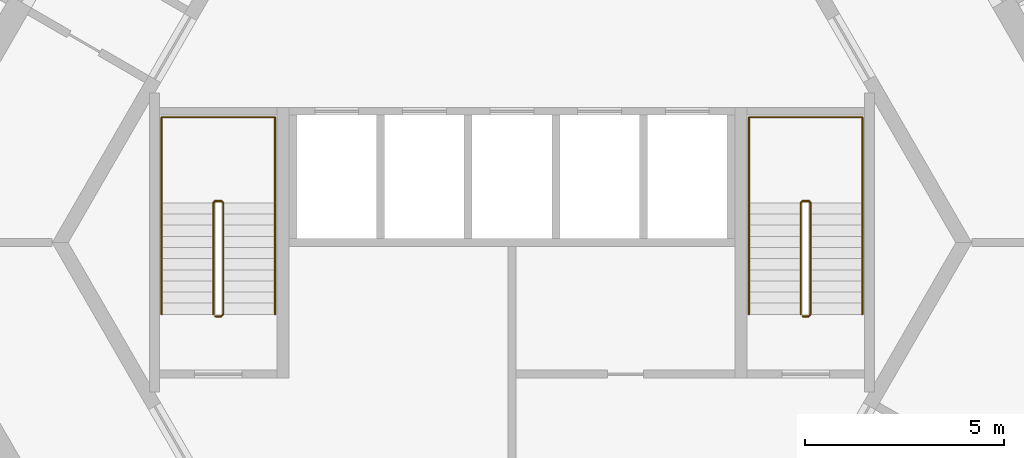
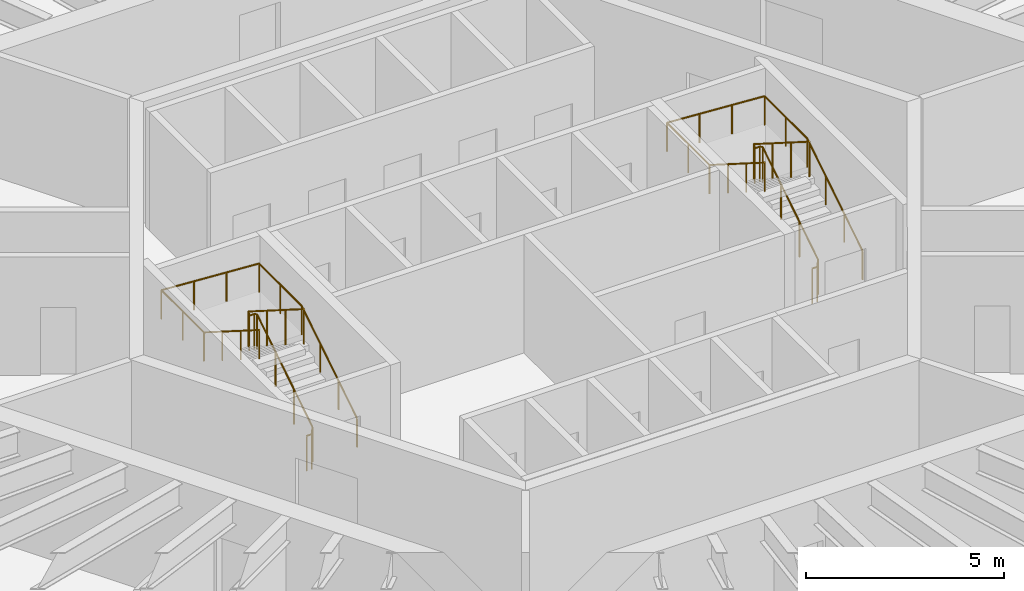
# One storey, part 12 of 12: 4 railings.
"""IFC4 building model written with IfcOpenShell, lengths in metres."""

from ifc_helpers import new_model, si_unit, direction, frame, origin, origin_2d, place, context, subcontext, project, spatial, circle, extrude, material, type_object, element, save


model = new_model("IFC4")

# Units and contexts
model_context = context("Model", 3, precision=1e-05, world=origin(), true_north=direction((0.0, 1.0)))
body_context = subcontext(model_context, "Body", "Model", "MODEL_VIEW")
ifc_project = project(units=[si_unit("LENGTHUNIT", "METRE"), si_unit("AREAUNIT", "SQUARE_METRE"), si_unit("VOLUMEUNIT", "CUBIC_METRE"), si_unit("PLANEANGLEUNIT", "RADIAN"), si_unit("MASSUNIT", "GRAM", prefix="KILO")], contexts=[model_context])

# Site, building, storey
site_placement = place(None, origin())
site = spatial("IfcSite", under=ifc_project, at=site_placement, CompositionType="ELEMENT")
building_placement = place(site_placement, origin())
building = spatial("IfcBuilding", under=site, at=building_placement, Name="Tarnside Tower", CompositionType="ELEMENT")
storey_placement = place(building_placement, frame((0.0, 0.0, 115.5)))
storey = spatial("IfcBuildingStorey", under=building, at=storey_placement, Name="L26", CompositionType="ELEMENT", Elevation=115.5)

# Railings
ifc_material = material(Name="Stainless steel", Category="steel")
railing_type_1 = type_object("IfcRailingType", Name="Stair guard 1100", PredefinedType="GUARDRAIL", material=ifc_material)
railing_1_placement = place(storey_placement, frame((7.300048828125, -1.85009765625, 0.0)))
element("IfcRailing", 1, at=railing_1_placement, inside=storey, type_object=railing_type_1, Name="L26 ST1 stair guard 1", PredefinedType="GUARDRAIL", context=body_context, shape_type="SweptSolid", body=[
    extrude(circle(Radius=0.02392578125, at=origin_2d()), frame((0.0, 0.0, 1.076171875), z_axis=(1.0, 0.0, 0.0), x_axis=(0.0, 1.0, 0.0)), (0.0, 0.0, 1.0), 0.14990234375),
    extrude(circle(Radius=0.02392578125, at=origin_2d()), frame((0.14990234375, 0.0, 1.076171875), z_axis=(0.262233686654, 0.262233686654, 0.928691007369), x_axis=(-0.707106781187, 0.707106781187, 0.0)), (0.0, 0.0, 1.0), 0.19091796875),
    extrude(circle(Radius=0.02392578125, at=origin_2d()), frame((0.199951171875, 0.050048828125, 1.25341796875), z_axis=(0.0, 0.844908973607, 0.534910110503), x_axis=(-1.0, 0.0, 0.0)), (0.0, 0.0, 1.0), 3.31396484375),
    extrude(circle(Radius=0.02392578125, at=origin_2d()), frame((0.199951171875, 2.85009765625, 3.02587890625), z_axis=(-0.707106781187, 0.707106781187, 0.0), x_axis=(-0.707106781187, -0.707106781187, 0.0)), (0.0, 0.0, 1.0), 0.07080078125),
    extrude(circle(Radius=0.02392578125, at=origin_2d()), frame((0.14990234375, 2.900146484375, 3.02587890625), z_axis=(-1.0, 0.0, 0.0), x_axis=(0.0, -1.0, 0.0)), (0.0, 0.0, 1.0), 0.14990234375),
    extrude(circle(Radius=0.02392578125, at=origin_2d()), frame((0.0, 2.900146484375, 3.02587890625), z_axis=(-0.262233686654, -0.262233686654, 0.928691007369), x_axis=(0.707106781187, -0.707106781187, 0.0)), (0.0, 0.0, 1.0), 0.19091796875),
    extrude(circle(Radius=0.02392578125, at=origin_2d()), frame((-0.050048828125, 2.85009765625, 3.203125), z_axis=(0.0, -0.844908973607, 0.534910110503), x_axis=(1.0, 0.0, 0.0)), (0.0, 0.0, 1.0), 3.31396484375),
    extrude(circle(Radius=0.02099609375, at=origin_2d()), origin(), (0.0, 0.0, 1.0), 1.052001953125),
    extrude(circle(Radius=0.02099609375, at=origin_2d()), frame((0.14990234375, 0.0, 0.0)), (0.0, 0.0, 1.0), 1.052001953125),
    extrude(circle(Radius=0.02099609375, at=origin_2d()), frame((0.199951171875, 0.050048828125, 0.17724609375)), (0.0, 0.0, 1.0), 1.052001953125),
    extrude(circle(Radius=0.02099609375, at=origin_2d()), frame((0.199951171875, 0.9833984375, 0.76806640625)), (0.0, 0.0, 1.0), 1.052001953125),
    extrude(circle(Radius=0.02099609375, at=origin_2d()), frame((0.199951171875, 1.916748046875, 1.359130859375)), (0.0, 0.0, 1.0), 1.052001953125),
    extrude(circle(Radius=0.02099609375, at=origin_2d()), frame((0.199951171875, 2.85009765625, 1.949951171875)), (0.0, 0.0, 1.0), 1.052001953125),
    extrude(circle(Radius=0.02099609375, at=origin_2d()), frame((0.14990234375, 2.900146484375, 1.949951171875)), (0.0, 0.0, 1.0), 1.052001953125),
    extrude(circle(Radius=0.02099609375, at=origin_2d()), frame((0.0, 2.900146484375, 1.949951171875)), (0.0, 0.0, 1.0), 1.052001953125),
    extrude(circle(Radius=0.02099609375, at=origin_2d()), frame((-0.050048828125, 2.85009765625, 2.127197265625)), (0.0, 0.0, 1.0), 1.052001953125),
    extrude(circle(Radius=0.02099609375, at=origin_2d()), frame((-0.050048828125, 1.916748046875, 2.718017578125)), (0.0, 0.0, 1.0), 1.052001953125),
    extrude(circle(Radius=0.02099609375, at=origin_2d()), frame((-0.050048828125, 0.9833984375, 3.30908203125)), (0.0, 0.0, 1.0), 1.052001953125),
    extrude(circle(Radius=0.02099609375, at=origin_2d()), frame((-0.050048828125, 0.050048828125, 3.89990234375)), (0.0, 0.0, 1.0), 1.052001953125),
])
railing_2_placement = place(storey_placement, frame((-7.449951171875, -1.85009765625, 0.0)))
element("IfcRailing", 2, at=railing_2_placement, inside=storey, type_object=railing_type_1, Name="L26 ST2 stair guard 1", PredefinedType="GUARDRAIL", context=body_context, shape_type="SweptSolid", body=[
    extrude(circle(Radius=0.02392578125, at=origin_2d()), frame((0.0, 0.0, 1.076171875), z_axis=(1.0, 0.0, 0.0), x_axis=(0.0, 1.0, 0.0)), (0.0, 0.0, 1.0), 0.14990234375),
    extrude(circle(Radius=0.02392578125, at=origin_2d()), frame((0.14990234375, 0.0, 1.076171875), z_axis=(0.262233686654, 0.262233686654, 0.928691007369), x_axis=(-0.707106781187, 0.707106781187, 0.0)), (0.0, 0.0, 1.0), 0.19091796875),
    extrude(circle(Radius=0.02392578125, at=origin_2d()), frame((0.199951171875, 0.050048828125, 1.25341796875), z_axis=(0.0, 0.844908973607, 0.534910110503), x_axis=(-1.0, 0.0, 0.0)), (0.0, 0.0, 1.0), 3.31396484375),
    extrude(circle(Radius=0.02392578125, at=origin_2d()), frame((0.199951171875, 2.85009765625, 3.02587890625), z_axis=(-0.707106781187, 0.707106781187, 0.0), x_axis=(-0.707106781187, -0.707106781187, 0.0)), (0.0, 0.0, 1.0), 0.07080078125),
    extrude(circle(Radius=0.02392578125, at=origin_2d()), frame((0.14990234375, 2.900146484375, 3.02587890625), z_axis=(-1.0, 0.0, 0.0), x_axis=(0.0, -1.0, 0.0)), (0.0, 0.0, 1.0), 0.14990234375),
    extrude(circle(Radius=0.02392578125, at=origin_2d()), frame((0.0, 2.900146484375, 3.02587890625), z_axis=(-0.262233686654, -0.262233686654, 0.928691007369), x_axis=(0.707106781187, -0.707106781187, 0.0)), (0.0, 0.0, 1.0), 0.19091796875),
    extrude(circle(Radius=0.02392578125, at=origin_2d()), frame((-0.050048828125, 2.85009765625, 3.203125), z_axis=(0.0, -0.844908973607, 0.534910110503), x_axis=(1.0, 0.0, 0.0)), (0.0, 0.0, 1.0), 3.31396484375),
    extrude(circle(Radius=0.02099609375, at=origin_2d()), origin(), (0.0, 0.0, 1.0), 1.052001953125),
    extrude(circle(Radius=0.02099609375, at=origin_2d()), frame((0.14990234375, 0.0, 0.0)), (0.0, 0.0, 1.0), 1.052001953125),
    extrude(circle(Radius=0.02099609375, at=origin_2d()), frame((0.199951171875, 0.050048828125, 0.17724609375)), (0.0, 0.0, 1.0), 1.052001953125),
    extrude(circle(Radius=0.02099609375, at=origin_2d()), frame((0.199951171875, 0.9833984375, 0.76806640625)), (0.0, 0.0, 1.0), 1.052001953125),
    extrude(circle(Radius=0.02099609375, at=origin_2d()), frame((0.199951171875, 1.916748046875, 1.359130859375)), (0.0, 0.0, 1.0), 1.052001953125),
    extrude(circle(Radius=0.02099609375, at=origin_2d()), frame((0.199951171875, 2.85009765625, 1.949951171875)), (0.0, 0.0, 1.0), 1.052001953125),
    extrude(circle(Radius=0.02099609375, at=origin_2d()), frame((0.14990234375, 2.900146484375, 1.949951171875)), (0.0, 0.0, 1.0), 1.052001953125),
    extrude(circle(Radius=0.02099609375, at=origin_2d()), frame((0.0, 2.900146484375, 1.949951171875)), (0.0, 0.0, 1.0), 1.052001953125),
    extrude(circle(Radius=0.02099609375, at=origin_2d()), frame((-0.050048828125, 2.85009765625, 2.127197265625)), (0.0, 0.0, 1.0), 1.052001953125),
    extrude(circle(Radius=0.02099609375, at=origin_2d()), frame((-0.050048828125, 1.916748046875, 2.718017578125)), (0.0, 0.0, 1.0), 1.052001953125),
    extrude(circle(Radius=0.02099609375, at=origin_2d()), frame((-0.050048828125, 0.9833984375, 3.30908203125)), (0.0, 0.0, 1.0), 1.052001953125),
    extrude(circle(Radius=0.02099609375, at=origin_2d()), frame((-0.050048828125, 0.050048828125, 3.89990234375)), (0.0, 0.0, 1.0), 1.052001953125),
])
railing_type_2 = type_object("IfcRailingType", Name="Stair handrail 900", PredefinedType="HANDRAIL", material=ifc_material)
railing_3_placement = place(storey_placement, frame((8.800048828125, -1.800048828125, 0.17724609375)))
element("IfcRailing", 3, at=railing_3_placement, inside=storey, type_object=railing_type_2, Name="L26 ST1 stair handrail 1", PredefinedType="HANDRAIL", context=body_context, shape_type="SweptSolid", body=[
    extrude(circle(Radius=0.02392578125, at=origin_2d()), frame((0.0, 0.0, 0.8857421875), z_axis=(0.0, 0.844908973607, 0.534910110503), x_axis=(-1.0, 0.0, 0.0)), (0.0, 0.0, 1.0), 3.31396484375),
    extrude(circle(Radius=0.02392578125, at=origin_2d()), frame((0.0, 2.800048828125, 2.65869140625), z_axis=(0.0, 1.0, 0.0), x_axis=(-1.0, 0.0, 0.0)), (0.0, 0.0, 1.0), 2.14990234375),
    extrude(circle(Radius=0.02392578125, at=origin_2d()), frame((0.0, 4.949951171875, 2.65869140625), z_axis=(-0.998071825391, 0.0, 0.06206956872), x_axis=(0.0, -1.0, 0.0)), (0.0, 0.0, 1.0), 2.855712890625),
    extrude(circle(Radius=0.02392578125, at=origin_2d()), frame((-2.85009765625, 4.949951171875, 2.8359375), z_axis=(0.0, -1.0, 0.0), x_axis=(1.0, 0.0, 0.0)), (0.0, 0.0, 1.0), 2.14990234375),
    extrude(circle(Radius=0.02392578125, at=origin_2d()), frame((-2.85009765625, 2.800048828125, 2.8359375), z_axis=(0.0, -0.844908973607, 0.534910110503), x_axis=(1.0, 0.0, 0.0)), (0.0, 0.0, 1.0), 3.31396484375),
    extrude(circle(Radius=0.02099609375, at=origin_2d()), origin(), (0.0, 0.0, 1.0), 0.86181640625),
    extrude(circle(Radius=0.02099609375, at=origin_2d()), frame((0.0, 0.933349609375, 0.5908203125)), (0.0, 0.0, 1.0), 0.86181640625),
    extrude(circle(Radius=0.02099609375, at=origin_2d()), frame((0.0, 1.86669921875, 1.181884765625)), (0.0, 0.0, 1.0), 0.86181640625),
    extrude(circle(Radius=0.02099609375, at=origin_2d()), frame((0.0, 2.800048828125, 1.772705078125)), (0.0, 0.0, 1.0), 0.86181640625),
    extrude(circle(Radius=0.02099609375, at=origin_2d()), frame((0.0, 3.875, 1.772705078125)), (0.0, 0.0, 1.0), 0.86181640625),
    extrude(circle(Radius=0.02099609375, at=origin_2d()), frame((0.0, 4.949951171875, 1.772705078125)), (0.0, 0.0, 1.0), 0.86181640625),
    extrude(circle(Radius=0.02099609375, at=origin_2d()), frame((-0.949951171875, 4.949951171875, 1.831787109375)), (0.0, 0.0, 1.0), 0.86181640625),
    extrude(circle(Radius=0.02099609375, at=origin_2d()), frame((-1.900146484375, 4.949951171875, 1.890869140625)), (0.0, 0.0, 1.0), 0.86181640625),
    extrude(circle(Radius=0.02099609375, at=origin_2d()), frame((-2.85009765625, 4.949951171875, 1.949951171875)), (0.0, 0.0, 1.0), 0.86181640625),
    extrude(circle(Radius=0.02099609375, at=origin_2d()), frame((-2.85009765625, 3.875, 1.949951171875)), (0.0, 0.0, 1.0), 0.86181640625),
    extrude(circle(Radius=0.02099609375, at=origin_2d()), frame((-2.85009765625, 2.800048828125, 1.949951171875)), (0.0, 0.0, 1.0), 0.86181640625),
    extrude(circle(Radius=0.02099609375, at=origin_2d()), frame((-2.85009765625, 1.86669921875, 2.540771484375)), (0.0, 0.0, 1.0), 0.86181640625),
    extrude(circle(Radius=0.02099609375, at=origin_2d()), frame((-2.85009765625, 0.933349609375, 3.1318359375)), (0.0, 0.0, 1.0), 0.86181640625),
    extrude(circle(Radius=0.02099609375, at=origin_2d()), frame((-2.85009765625, 0.0, 3.72265625)), (0.0, 0.0, 1.0), 0.86181640625),
])
railing_4_placement = place(storey_placement, frame((-5.949951171875, -1.800048828125, 0.17724609375)))
element("IfcRailing", 4, at=railing_4_placement, inside=storey, type_object=railing_type_2, Name="L26 ST2 stair handrail 1", PredefinedType="HANDRAIL", context=body_context, shape_type="SweptSolid", body=[
    extrude(circle(Radius=0.02392578125, at=origin_2d()), frame((0.0, 0.0, 0.8857421875), z_axis=(0.0, 0.844908973607, 0.534910110503), x_axis=(-1.0, 0.0, 0.0)), (0.0, 0.0, 1.0), 3.31396484375),
    extrude(circle(Radius=0.02392578125, at=origin_2d()), frame((0.0, 2.800048828125, 2.65869140625), z_axis=(0.0, 1.0, 0.0), x_axis=(-1.0, 0.0, 0.0)), (0.0, 0.0, 1.0), 2.14990234375),
    extrude(circle(Radius=0.02392578125, at=origin_2d()), frame((0.0, 4.949951171875, 2.65869140625), z_axis=(-0.998071825391, 0.0, 0.06206956872), x_axis=(0.0, -1.0, 0.0)), (0.0, 0.0, 1.0), 2.855712890625),
    extrude(circle(Radius=0.02392578125, at=origin_2d()), frame((-2.85009765625, 4.949951171875, 2.8359375), z_axis=(0.0, -1.0, 0.0), x_axis=(1.0, 0.0, 0.0)), (0.0, 0.0, 1.0), 2.14990234375),
    extrude(circle(Radius=0.02392578125, at=origin_2d()), frame((-2.85009765625, 2.800048828125, 2.8359375), z_axis=(0.0, -0.844908973607, 0.534910110503), x_axis=(1.0, 0.0, 0.0)), (0.0, 0.0, 1.0), 3.31396484375),
    extrude(circle(Radius=0.02099609375, at=origin_2d()), origin(), (0.0, 0.0, 1.0), 0.86181640625),
    extrude(circle(Radius=0.02099609375, at=origin_2d()), frame((0.0, 0.933349609375, 0.5908203125)), (0.0, 0.0, 1.0), 0.86181640625),
    extrude(circle(Radius=0.02099609375, at=origin_2d()), frame((0.0, 1.86669921875, 1.181884765625)), (0.0, 0.0, 1.0), 0.86181640625),
    extrude(circle(Radius=0.02099609375, at=origin_2d()), frame((0.0, 2.800048828125, 1.772705078125)), (0.0, 0.0, 1.0), 0.86181640625),
    extrude(circle(Radius=0.02099609375, at=origin_2d()), frame((0.0, 3.875, 1.772705078125)), (0.0, 0.0, 1.0), 0.86181640625),
    extrude(circle(Radius=0.02099609375, at=origin_2d()), frame((0.0, 4.949951171875, 1.772705078125)), (0.0, 0.0, 1.0), 0.86181640625),
    extrude(circle(Radius=0.02099609375, at=origin_2d()), frame((-0.949951171875, 4.949951171875, 1.831787109375)), (0.0, 0.0, 1.0), 0.86181640625),
    extrude(circle(Radius=0.02099609375, at=origin_2d()), frame((-1.900146484375, 4.949951171875, 1.890869140625)), (0.0, 0.0, 1.0), 0.86181640625),
    extrude(circle(Radius=0.02099609375, at=origin_2d()), frame((-2.85009765625, 4.949951171875, 1.949951171875)), (0.0, 0.0, 1.0), 0.86181640625),
    extrude(circle(Radius=0.02099609375, at=origin_2d()), frame((-2.85009765625, 3.875, 1.949951171875)), (0.0, 0.0, 1.0), 0.86181640625),
    extrude(circle(Radius=0.02099609375, at=origin_2d()), frame((-2.85009765625, 2.800048828125, 1.949951171875)), (0.0, 0.0, 1.0), 0.86181640625),
    extrude(circle(Radius=0.02099609375, at=origin_2d()), frame((-2.85009765625, 1.86669921875, 2.540771484375)), (0.0, 0.0, 1.0), 0.86181640625),
    extrude(circle(Radius=0.02099609375, at=origin_2d()), frame((-2.85009765625, 0.933349609375, 3.1318359375)), (0.0, 0.0, 1.0), 0.86181640625),
    extrude(circle(Radius=0.02099609375, at=origin_2d()), frame((-2.85009765625, 0.0, 3.72265625)), (0.0, 0.0, 1.0), 0.86181640625),
])

save(model, "model.ifc")
